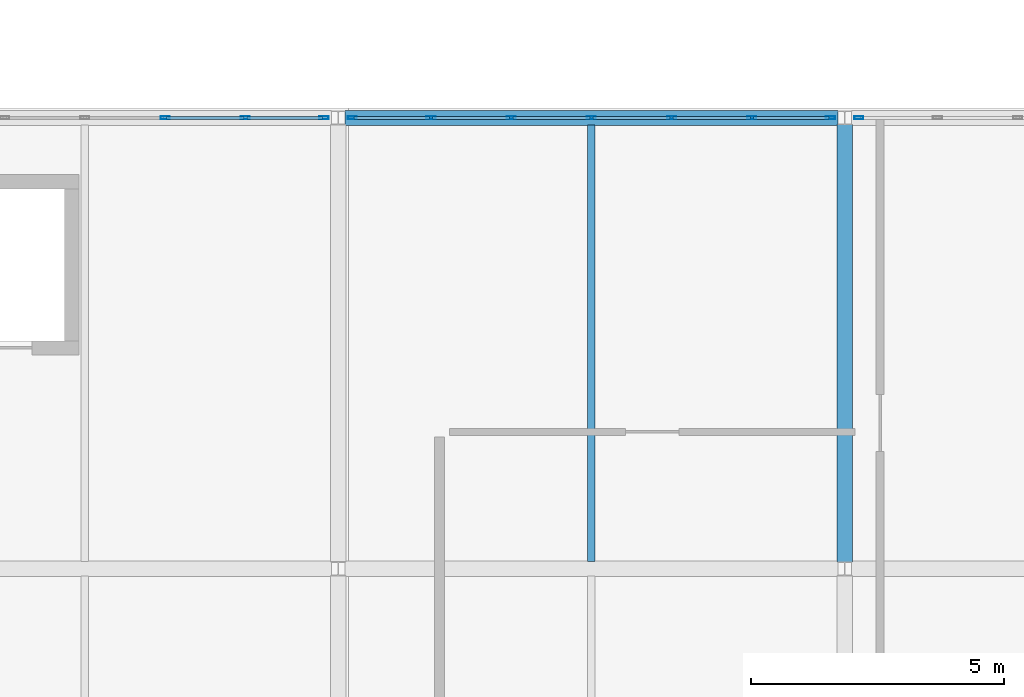
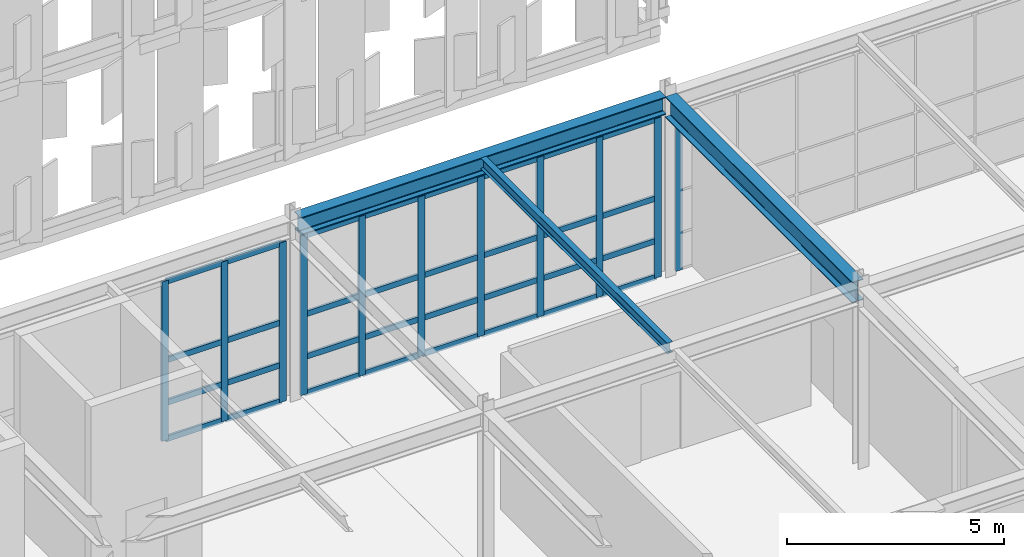
# One storey, part 153 of 239: 43 members, 3 beams, 3 elements without a shape of their own.
"""IFC4 building model written with IfcOpenShell, lengths in metres."""

from ifc_helpers import new_model, si_unit, direction, frame, origin, origin_2d, place, context, subcontext, project, spatial, hollow_rectangle, i_section, extrude, material, material_profile, profile_set, type_object, element, aggregate, save


model = new_model("IFC4")

# Units and contexts
model_context = context("Model", 3, precision=1e-05, world=origin(), true_north=direction((0.0, 1.0)))
body_context = subcontext(model_context, "Body", "Model", "MODEL_VIEW")
ifc_project = project(units=[si_unit("LENGTHUNIT", "METRE"), si_unit("AREAUNIT", "SQUARE_METRE"), si_unit("VOLUMEUNIT", "CUBIC_METRE"), si_unit("PLANEANGLEUNIT", "RADIAN"), si_unit("MASSUNIT", "GRAM", prefix="KILO")], contexts=[model_context])

# Site, building, storey
site_placement = place(None, origin())
site = spatial("IfcSite", under=ifc_project, at=site_placement, CompositionType="ELEMENT")
building_placement = place(site_placement, origin())
building = spatial("IfcBuilding", under=site, at=building_placement, Name="Kaldris Quays Convention Centre", CompositionType="ELEMENT")
storey_placement = place(building_placement, frame((0.0, 0.0, 11.39990234375)))
storey = spatial("IfcBuildingStorey", under=building, at=storey_placement, Name="L02", CompositionType="ELEMENT", Elevation=11.39990234375)

# Curtain wall, members
ifc_material_1 = material(Name="Anodized aluminium AW-6060 and triple glazing", Category="aluminium")
curtain_wall_type = type_object("IfcCurtainWallType", Name="UNITISED CURTAIN WALL CW02", PredefinedType="NOTDEFINED", material=ifc_material_1)
curtain_wall_1_placement = place(storey_placement, origin())
curtain_wall_1 = element("IfcCurtainWall", 1, at=curtain_wall_1_placement, inside=storey, type_object=curtain_wall_type, Name="L02 Unitised Curtain Wall CW02 204", PredefinedType="NOTDEFINED")
ifc_material_2 = material(Name="Anodized aluminium AW-6060", Category="aluminium")
ifc_material_profile_1 = material_profile(ifc_material_2, hollow_rectangle(XDim=0.06005859375, YDim=0.179931640625, WallThickness=0.0048828125, at=origin_2d()), Name="RHS 180x60x5")
ifc_profile_set_1 = profile_set([ifc_material_profile_1], Name="Anodized aluminium AW-6060")
member_type_1 = type_object("IfcMemberType", Name="CURTAIN MULLION CWM2", PredefinedType="MULLION", material=ifc_profile_set_1)
member_1_placement = place(storey_placement, frame((180.583251953125, 37.39990234375, 0.0), z_axis=(0.0, 0.0, 1.0), x_axis=(0.0, 1.0, 0.0)))
member_1 = element("IfcMember", 2, at=member_1_placement, type_object=member_type_1, Name="CW02 mullion 5", PredefinedType="MULLION", context=body_context, shape_type="SweptSolid", body=[
    extrude(hollow_rectangle(XDim=0.06005859375, YDim=0.179931640625, WallThickness=0.0048828125, at=origin_2d()), origin(), (0.0, 0.0, 1.0), 4.498046875),
])
member_2_placement = place(storey_placement, frame((182.166748046875, 37.39990234375, 0.0), z_axis=(0.0, 0.0, 1.0), x_axis=(0.0, 1.0, 0.0)))
member_2 = element("IfcMember", 3, at=member_2_placement, type_object=member_type_1, Name="CW02 mullion 6", PredefinedType="MULLION", context=body_context, shape_type="SweptSolid", body=[
    extrude(hollow_rectangle(XDim=0.06005859375, YDim=0.179931640625, WallThickness=0.0048828125, at=origin_2d()), origin(), (0.0, 0.0, 1.0), 4.498046875),
])
member_3_placement = place(storey_placement, frame((183.719970703125, 37.39990234375, 0.0), z_axis=(0.0, 0.0, 1.0), x_axis=(0.0, 1.0, 0.0)))
member_3 = element("IfcMember", 4, at=member_3_placement, type_object=member_type_1, Name="CW02 mullion 7", PredefinedType="MULLION", context=body_context, shape_type="SweptSolid", body=[
    extrude(hollow_rectangle(XDim=0.06005859375, YDim=0.179931640625, WallThickness=0.0048828125, at=origin_2d()), origin(), (0.0, 0.0, 1.0), 4.498046875),
])

curtain_wall_2_placement = place(storey_placement, origin())
curtain_wall_2 = element("IfcCurtainWall", 5, at=curtain_wall_2_placement, inside=storey, type_object=curtain_wall_type, Name="L02 Unitised Curtain Wall CW02 206", PredefinedType="NOTDEFINED")
member_4_placement = place(storey_placement, frame((184.280029296875, 37.39990234375, 0.0), z_axis=(0.0, 0.0, 1.0), x_axis=(0.0, 1.0, 0.0)))
member_4 = element("IfcMember", 6, at=member_4_placement, type_object=member_type_1, Name="CW02 mullion 1", PredefinedType="MULLION", context=body_context, shape_type="SweptSolid", body=[
    extrude(hollow_rectangle(XDim=0.06005859375, YDim=0.179931640625, WallThickness=0.0048828125, at=origin_2d()), origin(), (0.0, 0.0, 1.0), 4.498046875),
])
member_5_placement = place(storey_placement, frame((185.833251953125, 37.39990234375, 0.0), z_axis=(0.0, 0.0, 1.0), x_axis=(0.0, 1.0, 0.0)))
member_5 = element("IfcMember", 7, at=member_5_placement, type_object=member_type_1, Name="CW02 mullion 2", PredefinedType="MULLION", context=body_context, shape_type="SweptSolid", body=[
    extrude(hollow_rectangle(XDim=0.06005859375, YDim=0.179931640625, WallThickness=0.0048828125, at=origin_2d()), origin(), (0.0, 0.0, 1.0), 4.498046875),
])
member_6_placement = place(storey_placement, frame((187.416748046875, 37.39990234375, 0.0), z_axis=(0.0, 0.0, 1.0), x_axis=(0.0, 1.0, 0.0)))
member_6 = element("IfcMember", 8, at=member_6_placement, type_object=member_type_1, Name="CW02 mullion 3", PredefinedType="MULLION", context=body_context, shape_type="SweptSolid", body=[
    extrude(hollow_rectangle(XDim=0.06005859375, YDim=0.179931640625, WallThickness=0.0048828125, at=origin_2d()), origin(), (0.0, 0.0, 1.0), 4.498046875),
])
member_7_placement = place(storey_placement, frame((189.0, 37.39990234375, 0.0), z_axis=(0.0, 0.0, 1.0), x_axis=(0.0, 1.0, 0.0)))
member_7 = element("IfcMember", 9, at=member_7_placement, type_object=member_type_1, Name="CW02 mullion 4", PredefinedType="MULLION", context=body_context, shape_type="SweptSolid", body=[
    extrude(hollow_rectangle(XDim=0.06005859375, YDim=0.179931640625, WallThickness=0.0048828125, at=origin_2d()), origin(), (0.0, 0.0, 1.0), 4.498046875),
])
member_8_placement = place(storey_placement, frame((190.583251953125, 37.39990234375, 0.0), z_axis=(0.0, 0.0, 1.0), x_axis=(0.0, 1.0, 0.0)))
member_8 = element("IfcMember", 10, at=member_8_placement, type_object=member_type_1, Name="CW02 mullion 5", PredefinedType="MULLION", context=body_context, shape_type="SweptSolid", body=[
    extrude(hollow_rectangle(XDim=0.06005859375, YDim=0.179931640625, WallThickness=0.0048828125, at=origin_2d()), origin(), (0.0, 0.0, 1.0), 4.498046875),
])
member_9_placement = place(storey_placement, frame((192.166748046875, 37.39990234375, 0.0), z_axis=(0.0, 0.0, 1.0), x_axis=(0.0, 1.0, 0.0)))
member_9 = element("IfcMember", 11, at=member_9_placement, type_object=member_type_1, Name="CW02 mullion 6", PredefinedType="MULLION", context=body_context, shape_type="SweptSolid", body=[
    extrude(hollow_rectangle(XDim=0.06005859375, YDim=0.179931640625, WallThickness=0.0048828125, at=origin_2d()), origin(), (0.0, 0.0, 1.0), 4.498046875),
])
member_10_placement = place(storey_placement, frame((193.719970703125, 37.39990234375, 0.0), z_axis=(0.0, 0.0, 1.0), x_axis=(0.0, 1.0, 0.0)))
member_10 = element("IfcMember", 12, at=member_10_placement, type_object=member_type_1, Name="CW02 mullion 7", PredefinedType="MULLION", context=body_context, shape_type="SweptSolid", body=[
    extrude(hollow_rectangle(XDim=0.06005859375, YDim=0.179931640625, WallThickness=0.0048828125, at=origin_2d()), origin(), (0.0, 0.0, 1.0), 4.498046875),
])

# Curtain wall, member
curtain_wall_3_placement = place(storey_placement, origin())
curtain_wall_3 = element("IfcCurtainWall", 13, at=curtain_wall_3_placement, inside=storey, type_object=curtain_wall_type, Name="L02 Unitised Curtain Wall CW02 208", PredefinedType="NOTDEFINED")
member_11_placement = place(storey_placement, frame((194.280029296875, 37.39990234375, 0.0), z_axis=(0.0, 0.0, 1.0), x_axis=(0.0, 1.0, 0.0)))
member_11 = element("IfcMember", 14, at=member_11_placement, type_object=member_type_1, Name="CW02 mullion 1", PredefinedType="MULLION", context=body_context, shape_type="SweptSolid", body=[
    extrude(hollow_rectangle(XDim=0.06005859375, YDim=0.179931640625, WallThickness=0.0048828125, at=origin_2d()), origin(), (0.0, 0.0, 1.0), 4.498046875),
])
aggregate(curtain_wall_3, [member_11])

# Member
ifc_material_profile_2 = material_profile(ifc_material_2, hollow_rectangle(XDim=0.06005859375, YDim=0.159912109375, WallThickness=0.00390625, at=origin_2d()), Name="RHS 160x60x4")
ifc_profile_set_2 = profile_set([ifc_material_profile_2], Name="Anodized aluminium AW-6060")
member_type_2 = type_object("IfcMemberType", Name="CURTAIN TRANSOM CWT2", PredefinedType="USERDEFINED", material=ifc_profile_set_2)
member_12_placement = place(storey_placement, frame((180.61328125, 37.39990234375, 0.030029296875), z_axis=(1.0, 0.0, 0.0), x_axis=(0.0, 1.0, 0.0)))
member_12 = element("IfcMember", 15, at=member_12_placement, type_object=member_type_2, Name="CW02 transom 5.1", ObjectType="TRANSOM", PredefinedType="USERDEFINED", context=body_context, shape_type="SweptSolid", body=[
    extrude(hollow_rectangle(XDim=0.06005859375, YDim=0.159912109375, WallThickness=0.00390625, at=origin_2d()), origin(), (0.0, 0.0, 1.0), 1.5234375),
])

member_13_placement = place(storey_placement, frame((180.61328125, 37.39990234375, 1.050048828125), z_axis=(1.0, 0.0, 0.0), x_axis=(0.0, 1.0, 0.0)))
member_13 = element("IfcMember", 16, at=member_13_placement, type_object=member_type_2, Name="CW02 transom 5.2", ObjectType="TRANSOM", PredefinedType="USERDEFINED", context=body_context, shape_type="SweptSolid", body=[
    extrude(hollow_rectangle(XDim=0.06005859375, YDim=0.159912109375, WallThickness=0.00390625, at=origin_2d()), origin(), (0.0, 0.0, 1.0), 1.5234375),
])

member_14_placement = place(storey_placement, frame((180.61328125, 37.39990234375, 2.2490234375), z_axis=(1.0, 0.0, 0.0), x_axis=(0.0, 1.0, 0.0)))
member_14 = element("IfcMember", 17, at=member_14_placement, type_object=member_type_2, Name="CW02 transom 5.3", ObjectType="TRANSOM", PredefinedType="USERDEFINED", context=body_context, shape_type="SweptSolid", body=[
    extrude(hollow_rectangle(XDim=0.06005859375, YDim=0.159912109375, WallThickness=0.00390625, at=origin_2d()), origin(), (0.0, 0.0, 1.0), 1.5234375),
])

member_15_placement = place(storey_placement, frame((180.61328125, 37.39990234375, 4.468017578125), z_axis=(1.0, 0.0, 0.0), x_axis=(0.0, 1.0, 0.0)))
member_15 = element("IfcMember", 18, at=member_15_placement, type_object=member_type_2, Name="CW02 transom 5.4", ObjectType="TRANSOM", PredefinedType="USERDEFINED", context=body_context, shape_type="SweptSolid", body=[
    extrude(hollow_rectangle(XDim=0.06005859375, YDim=0.159912109375, WallThickness=0.00390625, at=origin_2d()), origin(), (0.0, 0.0, 1.0), 1.5234375),
])

member_16_placement = place(storey_placement, frame((182.19677734375, 37.39990234375, 0.030029296875), z_axis=(1.0, 0.0, 0.0), x_axis=(0.0, 1.0, 0.0)))
member_16 = element("IfcMember", 19, at=member_16_placement, type_object=member_type_2, Name="CW02 transom 6.1", ObjectType="TRANSOM", PredefinedType="USERDEFINED", context=body_context, shape_type="SweptSolid", body=[
    extrude(hollow_rectangle(XDim=0.06005859375, YDim=0.159912109375, WallThickness=0.00390625, at=origin_2d()), origin(), (0.0, 0.0, 1.0), 1.4931640625),
])

member_17_placement = place(storey_placement, frame((182.19677734375, 37.39990234375, 1.050048828125), z_axis=(1.0, 0.0, 0.0), x_axis=(0.0, 1.0, 0.0)))
member_17 = element("IfcMember", 20, at=member_17_placement, type_object=member_type_2, Name="CW02 transom 6.2", ObjectType="TRANSOM", PredefinedType="USERDEFINED", context=body_context, shape_type="SweptSolid", body=[
    extrude(hollow_rectangle(XDim=0.06005859375, YDim=0.159912109375, WallThickness=0.00390625, at=origin_2d()), origin(), (0.0, 0.0, 1.0), 1.4931640625),
])

member_18_placement = place(storey_placement, frame((182.19677734375, 37.39990234375, 2.2490234375), z_axis=(1.0, 0.0, 0.0), x_axis=(0.0, 1.0, 0.0)))
member_18 = element("IfcMember", 21, at=member_18_placement, type_object=member_type_2, Name="CW02 transom 6.3", ObjectType="TRANSOM", PredefinedType="USERDEFINED", context=body_context, shape_type="SweptSolid", body=[
    extrude(hollow_rectangle(XDim=0.06005859375, YDim=0.159912109375, WallThickness=0.00390625, at=origin_2d()), origin(), (0.0, 0.0, 1.0), 1.4931640625),
])

member_19_placement = place(storey_placement, frame((182.19677734375, 37.39990234375, 4.468017578125), z_axis=(1.0, 0.0, 0.0), x_axis=(0.0, 1.0, 0.0)))
member_19 = element("IfcMember", 22, at=member_19_placement, type_object=member_type_2, Name="CW02 transom 6.4", ObjectType="TRANSOM", PredefinedType="USERDEFINED", context=body_context, shape_type="SweptSolid", body=[
    extrude(hollow_rectangle(XDim=0.06005859375, YDim=0.159912109375, WallThickness=0.00390625, at=origin_2d()), origin(), (0.0, 0.0, 1.0), 1.4931640625),
])

aggregate(curtain_wall_1, [member_1, member_2, member_3, member_12, member_13, member_14, member_15, member_16, member_17, member_18, member_19])

member_20_placement = place(storey_placement, frame((184.31005859375, 37.39990234375, 0.030029296875), z_axis=(1.0, 0.0, 0.0), x_axis=(0.0, 1.0, 0.0)))
member_20 = element("IfcMember", 23, at=member_20_placement, type_object=member_type_2, Name="CW02 transom 1.1", ObjectType="TRANSOM", PredefinedType="USERDEFINED", context=body_context, shape_type="SweptSolid", body=[
    extrude(hollow_rectangle(XDim=0.06005859375, YDim=0.159912109375, WallThickness=0.00390625, at=origin_2d()), origin(), (0.0, 0.0, 1.0), 1.4931640625),
])

member_21_placement = place(storey_placement, frame((184.31005859375, 37.39990234375, 1.050048828125), z_axis=(1.0, 0.0, 0.0), x_axis=(0.0, 1.0, 0.0)))
member_21 = element("IfcMember", 24, at=member_21_placement, type_object=member_type_2, Name="CW02 transom 1.2", ObjectType="TRANSOM", PredefinedType="USERDEFINED", context=body_context, shape_type="SweptSolid", body=[
    extrude(hollow_rectangle(XDim=0.06005859375, YDim=0.159912109375, WallThickness=0.00390625, at=origin_2d()), origin(), (0.0, 0.0, 1.0), 1.4931640625),
])

member_22_placement = place(storey_placement, frame((184.31005859375, 37.39990234375, 2.2490234375), z_axis=(1.0, 0.0, 0.0), x_axis=(0.0, 1.0, 0.0)))
member_22 = element("IfcMember", 25, at=member_22_placement, type_object=member_type_2, Name="CW02 transom 1.3", ObjectType="TRANSOM", PredefinedType="USERDEFINED", context=body_context, shape_type="SweptSolid", body=[
    extrude(hollow_rectangle(XDim=0.06005859375, YDim=0.159912109375, WallThickness=0.00390625, at=origin_2d()), origin(), (0.0, 0.0, 1.0), 1.4931640625),
])

member_23_placement = place(storey_placement, frame((184.31005859375, 37.39990234375, 4.468017578125), z_axis=(1.0, 0.0, 0.0), x_axis=(0.0, 1.0, 0.0)))
member_23 = element("IfcMember", 26, at=member_23_placement, type_object=member_type_2, Name="CW02 transom 1.4", ObjectType="TRANSOM", PredefinedType="USERDEFINED", context=body_context, shape_type="SweptSolid", body=[
    extrude(hollow_rectangle(XDim=0.06005859375, YDim=0.159912109375, WallThickness=0.00390625, at=origin_2d()), origin(), (0.0, 0.0, 1.0), 1.4931640625),
])

member_24_placement = place(storey_placement, frame((185.86328125, 37.39990234375, 0.030029296875), z_axis=(1.0, 0.0, 0.0), x_axis=(0.0, 1.0, 0.0)))
member_24 = element("IfcMember", 27, at=member_24_placement, type_object=member_type_2, Name="CW02 transom 2.1", ObjectType="TRANSOM", PredefinedType="USERDEFINED", context=body_context, shape_type="SweptSolid", body=[
    extrude(hollow_rectangle(XDim=0.06005859375, YDim=0.159912109375, WallThickness=0.00390625, at=origin_2d()), origin(), (0.0, 0.0, 1.0), 1.5234375),
])

member_25_placement = place(storey_placement, frame((185.86328125, 37.39990234375, 1.050048828125), z_axis=(1.0, 0.0, 0.0), x_axis=(0.0, 1.0, 0.0)))
member_25 = element("IfcMember", 28, at=member_25_placement, type_object=member_type_2, Name="CW02 transom 2.2", ObjectType="TRANSOM", PredefinedType="USERDEFINED", context=body_context, shape_type="SweptSolid", body=[
    extrude(hollow_rectangle(XDim=0.06005859375, YDim=0.159912109375, WallThickness=0.00390625, at=origin_2d()), origin(), (0.0, 0.0, 1.0), 1.5234375),
])

member_26_placement = place(storey_placement, frame((185.86328125, 37.39990234375, 2.2490234375), z_axis=(1.0, 0.0, 0.0), x_axis=(0.0, 1.0, 0.0)))
member_26 = element("IfcMember", 29, at=member_26_placement, type_object=member_type_2, Name="CW02 transom 2.3", ObjectType="TRANSOM", PredefinedType="USERDEFINED", context=body_context, shape_type="SweptSolid", body=[
    extrude(hollow_rectangle(XDim=0.06005859375, YDim=0.159912109375, WallThickness=0.00390625, at=origin_2d()), origin(), (0.0, 0.0, 1.0), 1.5234375),
])

member_27_placement = place(storey_placement, frame((185.86328125, 37.39990234375, 4.468017578125), z_axis=(1.0, 0.0, 0.0), x_axis=(0.0, 1.0, 0.0)))
member_27 = element("IfcMember", 30, at=member_27_placement, type_object=member_type_2, Name="CW02 transom 2.4", ObjectType="TRANSOM", PredefinedType="USERDEFINED", context=body_context, shape_type="SweptSolid", body=[
    extrude(hollow_rectangle(XDim=0.06005859375, YDim=0.159912109375, WallThickness=0.00390625, at=origin_2d()), origin(), (0.0, 0.0, 1.0), 1.5234375),
])

member_28_placement = place(storey_placement, frame((187.44677734375, 37.39990234375, 0.030029296875), z_axis=(1.0, 0.0, 0.0), x_axis=(0.0, 1.0, 0.0)))
member_28 = element("IfcMember", 31, at=member_28_placement, type_object=member_type_2, Name="CW02 transom 3.1", ObjectType="TRANSOM", PredefinedType="USERDEFINED", context=body_context, shape_type="SweptSolid", body=[
    extrude(hollow_rectangle(XDim=0.06005859375, YDim=0.159912109375, WallThickness=0.00390625, at=origin_2d()), origin(), (0.0, 0.0, 1.0), 1.523193359375),
])

member_29_placement = place(storey_placement, frame((187.44677734375, 37.39990234375, 1.050048828125), z_axis=(1.0, 0.0, 0.0), x_axis=(0.0, 1.0, 0.0)))
member_29 = element("IfcMember", 32, at=member_29_placement, type_object=member_type_2, Name="CW02 transom 3.2", ObjectType="TRANSOM", PredefinedType="USERDEFINED", context=body_context, shape_type="SweptSolid", body=[
    extrude(hollow_rectangle(XDim=0.06005859375, YDim=0.159912109375, WallThickness=0.00390625, at=origin_2d()), origin(), (0.0, 0.0, 1.0), 1.523193359375),
])

member_30_placement = place(storey_placement, frame((187.44677734375, 37.39990234375, 2.2490234375), z_axis=(1.0, 0.0, 0.0), x_axis=(0.0, 1.0, 0.0)))
member_30 = element("IfcMember", 33, at=member_30_placement, type_object=member_type_2, Name="CW02 transom 3.3", ObjectType="TRANSOM", PredefinedType="USERDEFINED", context=body_context, shape_type="SweptSolid", body=[
    extrude(hollow_rectangle(XDim=0.06005859375, YDim=0.159912109375, WallThickness=0.00390625, at=origin_2d()), origin(), (0.0, 0.0, 1.0), 1.523193359375),
])

member_31_placement = place(storey_placement, frame((187.44677734375, 37.39990234375, 4.468017578125), z_axis=(1.0, 0.0, 0.0), x_axis=(0.0, 1.0, 0.0)))
member_31 = element("IfcMember", 34, at=member_31_placement, type_object=member_type_2, Name="CW02 transom 3.4", ObjectType="TRANSOM", PredefinedType="USERDEFINED", context=body_context, shape_type="SweptSolid", body=[
    extrude(hollow_rectangle(XDim=0.06005859375, YDim=0.159912109375, WallThickness=0.00390625, at=origin_2d()), origin(), (0.0, 0.0, 1.0), 1.523193359375),
])

member_32_placement = place(storey_placement, frame((189.030029296875, 37.39990234375, 0.030029296875), z_axis=(1.0, 0.0, 0.0), x_axis=(0.0, 1.0, 0.0)))
member_32 = element("IfcMember", 35, at=member_32_placement, type_object=member_type_2, Name="CW02 transom 4.1", ObjectType="TRANSOM", PredefinedType="USERDEFINED", context=body_context, shape_type="SweptSolid", body=[
    extrude(hollow_rectangle(XDim=0.06005859375, YDim=0.159912109375, WallThickness=0.00390625, at=origin_2d()), origin(), (0.0, 0.0, 1.0), 1.523193359375),
])

member_33_placement = place(storey_placement, frame((189.030029296875, 37.39990234375, 1.050048828125), z_axis=(1.0, 0.0, 0.0), x_axis=(0.0, 1.0, 0.0)))
member_33 = element("IfcMember", 36, at=member_33_placement, type_object=member_type_2, Name="CW02 transom 4.2", ObjectType="TRANSOM", PredefinedType="USERDEFINED", context=body_context, shape_type="SweptSolid", body=[
    extrude(hollow_rectangle(XDim=0.06005859375, YDim=0.159912109375, WallThickness=0.00390625, at=origin_2d()), origin(), (0.0, 0.0, 1.0), 1.523193359375),
])

member_34_placement = place(storey_placement, frame((189.030029296875, 37.39990234375, 2.2490234375), z_axis=(1.0, 0.0, 0.0), x_axis=(0.0, 1.0, 0.0)))
member_34 = element("IfcMember", 37, at=member_34_placement, type_object=member_type_2, Name="CW02 transom 4.3", ObjectType="TRANSOM", PredefinedType="USERDEFINED", context=body_context, shape_type="SweptSolid", body=[
    extrude(hollow_rectangle(XDim=0.06005859375, YDim=0.159912109375, WallThickness=0.00390625, at=origin_2d()), origin(), (0.0, 0.0, 1.0), 1.523193359375),
])

member_35_placement = place(storey_placement, frame((189.030029296875, 37.39990234375, 4.468017578125), z_axis=(1.0, 0.0, 0.0), x_axis=(0.0, 1.0, 0.0)))
member_35 = element("IfcMember", 38, at=member_35_placement, type_object=member_type_2, Name="CW02 transom 4.4", ObjectType="TRANSOM", PredefinedType="USERDEFINED", context=body_context, shape_type="SweptSolid", body=[
    extrude(hollow_rectangle(XDim=0.06005859375, YDim=0.159912109375, WallThickness=0.00390625, at=origin_2d()), origin(), (0.0, 0.0, 1.0), 1.523193359375),
])

member_36_placement = place(storey_placement, frame((190.61328125, 37.39990234375, 0.030029296875), z_axis=(1.0, 0.0, 0.0), x_axis=(0.0, 1.0, 0.0)))
member_36 = element("IfcMember", 39, at=member_36_placement, type_object=member_type_2, Name="CW02 transom 5.1", ObjectType="TRANSOM", PredefinedType="USERDEFINED", context=body_context, shape_type="SweptSolid", body=[
    extrude(hollow_rectangle(XDim=0.06005859375, YDim=0.159912109375, WallThickness=0.00390625, at=origin_2d()), origin(), (0.0, 0.0, 1.0), 1.5234375),
])

member_37_placement = place(storey_placement, frame((190.61328125, 37.39990234375, 1.050048828125), z_axis=(1.0, 0.0, 0.0), x_axis=(0.0, 1.0, 0.0)))
member_37 = element("IfcMember", 40, at=member_37_placement, type_object=member_type_2, Name="CW02 transom 5.2", ObjectType="TRANSOM", PredefinedType="USERDEFINED", context=body_context, shape_type="SweptSolid", body=[
    extrude(hollow_rectangle(XDim=0.06005859375, YDim=0.159912109375, WallThickness=0.00390625, at=origin_2d()), origin(), (0.0, 0.0, 1.0), 1.5234375),
])

member_38_placement = place(storey_placement, frame((190.61328125, 37.39990234375, 2.2490234375), z_axis=(1.0, 0.0, 0.0), x_axis=(0.0, 1.0, 0.0)))
member_38 = element("IfcMember", 41, at=member_38_placement, type_object=member_type_2, Name="CW02 transom 5.3", ObjectType="TRANSOM", PredefinedType="USERDEFINED", context=body_context, shape_type="SweptSolid", body=[
    extrude(hollow_rectangle(XDim=0.06005859375, YDim=0.159912109375, WallThickness=0.00390625, at=origin_2d()), origin(), (0.0, 0.0, 1.0), 1.5234375),
])

member_39_placement = place(storey_placement, frame((190.61328125, 37.39990234375, 4.468017578125), z_axis=(1.0, 0.0, 0.0), x_axis=(0.0, 1.0, 0.0)))
member_39 = element("IfcMember", 42, at=member_39_placement, type_object=member_type_2, Name="CW02 transom 5.4", ObjectType="TRANSOM", PredefinedType="USERDEFINED", context=body_context, shape_type="SweptSolid", body=[
    extrude(hollow_rectangle(XDim=0.06005859375, YDim=0.159912109375, WallThickness=0.00390625, at=origin_2d()), origin(), (0.0, 0.0, 1.0), 1.5234375),
])

member_40_placement = place(storey_placement, frame((192.19677734375, 37.39990234375, 0.030029296875), z_axis=(1.0, 0.0, 0.0), x_axis=(0.0, 1.0, 0.0)))
member_40 = element("IfcMember", 43, at=member_40_placement, type_object=member_type_2, Name="CW02 transom 6.1", ObjectType="TRANSOM", PredefinedType="USERDEFINED", context=body_context, shape_type="SweptSolid", body=[
    extrude(hollow_rectangle(XDim=0.06005859375, YDim=0.159912109375, WallThickness=0.00390625, at=origin_2d()), origin(), (0.0, 0.0, 1.0), 1.4931640625),
])

member_41_placement = place(storey_placement, frame((192.19677734375, 37.39990234375, 1.050048828125), z_axis=(1.0, 0.0, 0.0), x_axis=(0.0, 1.0, 0.0)))
member_41 = element("IfcMember", 44, at=member_41_placement, type_object=member_type_2, Name="CW02 transom 6.2", ObjectType="TRANSOM", PredefinedType="USERDEFINED", context=body_context, shape_type="SweptSolid", body=[
    extrude(hollow_rectangle(XDim=0.06005859375, YDim=0.159912109375, WallThickness=0.00390625, at=origin_2d()), origin(), (0.0, 0.0, 1.0), 1.4931640625),
])

member_42_placement = place(storey_placement, frame((192.19677734375, 37.39990234375, 2.2490234375), z_axis=(1.0, 0.0, 0.0), x_axis=(0.0, 1.0, 0.0)))
member_42 = element("IfcMember", 45, at=member_42_placement, type_object=member_type_2, Name="CW02 transom 6.3", ObjectType="TRANSOM", PredefinedType="USERDEFINED", context=body_context, shape_type="SweptSolid", body=[
    extrude(hollow_rectangle(XDim=0.06005859375, YDim=0.159912109375, WallThickness=0.00390625, at=origin_2d()), origin(), (0.0, 0.0, 1.0), 1.4931640625),
])

member_43_placement = place(storey_placement, frame((192.19677734375, 37.39990234375, 4.468017578125), z_axis=(1.0, 0.0, 0.0), x_axis=(0.0, 1.0, 0.0)))
member_43 = element("IfcMember", 46, at=member_43_placement, type_object=member_type_2, Name="CW02 transom 6.4", ObjectType="TRANSOM", PredefinedType="USERDEFINED", context=body_context, shape_type="SweptSolid", body=[
    extrude(hollow_rectangle(XDim=0.06005859375, YDim=0.159912109375, WallThickness=0.00390625, at=origin_2d()), origin(), (0.0, 0.0, 1.0), 1.4931640625),
])

aggregate(curtain_wall_2, [member_4, member_5, member_6, member_7, member_8, member_9, member_10, member_20, member_21, member_22, member_23, member_24, member_25, member_26, member_27, member_28, member_29, member_30, member_31, member_32, member_33, member_34, member_35, member_36, member_37, member_38, member_39, member_40, member_41, member_42, member_43])

# Beams
ifc_material_3 = material(Name="Steel S355J2", Category="steel")
ifc_material_profile_3 = material_profile(ifc_material_3, i_section(OverallWidth=0.300048828125, OverallDepth=0.5, WebThickness=0.014404296875, FlangeThickness=0.028076171875, FilletRadius=0.027099609375, at=origin_2d()), Name="HEB 500")
ifc_profile_set_3 = profile_set([ifc_material_profile_3], Name="Steel S355J2")
beam_type_1 = type_object("IfcBeamType", Name="STRUCTURAL BEAM BM06", PredefinedType="BEAM", material=ifc_profile_set_3)
beam_1_placement = place(storey_placement, frame((184.134033203125, 37.39990234375, 4.863037109375), z_axis=(1.0, 0.0, 0.0), x_axis=(0.0, 1.0, 0.0)))
element("IfcBeam", 47, at=beam_1_placement, inside=storey, type_object=beam_type_1, Name="L02 Girder BM06 14", PredefinedType="BEAM", context=body_context, shape_type="SweptSolid", body=[
    extrude(i_section(OverallWidth=0.300048828125, OverallDepth=0.5, WebThickness=0.014404296875, FlangeThickness=0.028076171875, FilletRadius=0.027099609375, at=origin_2d()), origin(), (0.0, 0.0, 1.0), 9.73193359375),
])
ifc_material_profile_4 = material_profile(ifc_material_3, i_section(OverallWidth=0.300048828125, OverallDepth=0.590087890625, WebThickness=0.012939453125, FlangeThickness=0.02490234375, FilletRadius=0.027099609375, at=origin_2d()), Name="HEA 600")
ifc_profile_set_4 = profile_set([ifc_material_profile_4], Name="Steel S355J2")
beam_type_2 = type_object("IfcBeamType", Name="STRUCTURAL BEAM BM08", PredefinedType="BEAM", material=ifc_profile_set_4)
beam_2_placement = place(storey_placement, frame((194.0, 28.634033203125, 4.818115234375), z_axis=(0.0, 1.0, 0.0), x_axis=(-1.0, 0.0, 0.0)))
element("IfcBeam", 48, at=beam_2_placement, inside=storey, type_object=beam_type_2, Name="L02 Girder BM08 25", PredefinedType="BEAM", context=body_context, shape_type="SweptSolid", body=[
    extrude(i_section(OverallWidth=0.300048828125, OverallDepth=0.590087890625, WebThickness=0.012939453125, FlangeThickness=0.02490234375, FilletRadius=0.027099609375, at=origin_2d()), origin(), (0.0, 0.0, 1.0), 8.632080078125),
])
ifc_material_profile_5 = material_profile(ifc_material_3, i_section(OverallWidth=0.14990234375, OverallDepth=0.300048828125, WebThickness=0.007080078125, FlangeThickness=0.0107421875, FilletRadius=0.014892578125, at=origin_2d()), Name="IPE 300")
ifc_profile_set_5 = profile_set([ifc_material_profile_5], Name="Steel S355J2")
beam_type_3 = type_object("IfcBeamType", Name="STRUCTURAL BEAM JT04", PredefinedType="JOIST", material=ifc_profile_set_5)
beam_3_placement = place(storey_placement, frame((189.0, 28.64404296875, 4.963134765625), z_axis=(0.0, 1.0, 0.0), x_axis=(-1.0, 0.0, 0.0)))
element("IfcBeam", 49, at=beam_3_placement, inside=storey, type_object=beam_type_3, Name="L02 Secondary Joist JT04 7", PredefinedType="JOIST", context=body_context, shape_type="SweptSolid", body=[
    extrude(i_section(OverallWidth=0.14990234375, OverallDepth=0.300048828125, WebThickness=0.007080078125, FlangeThickness=0.0107421875, FilletRadius=0.014892578125, at=origin_2d()), origin(), (0.0, 0.0, 1.0), 8.612060546875),
])

save(model, "model.ifc")
